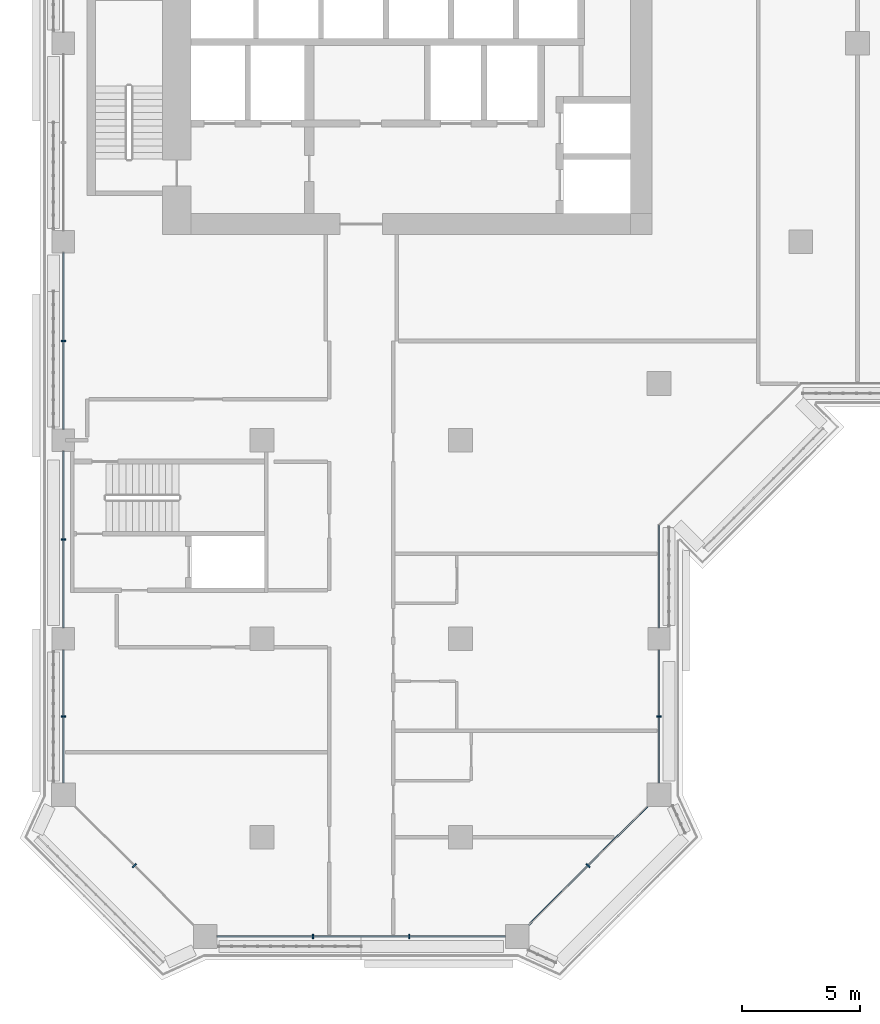
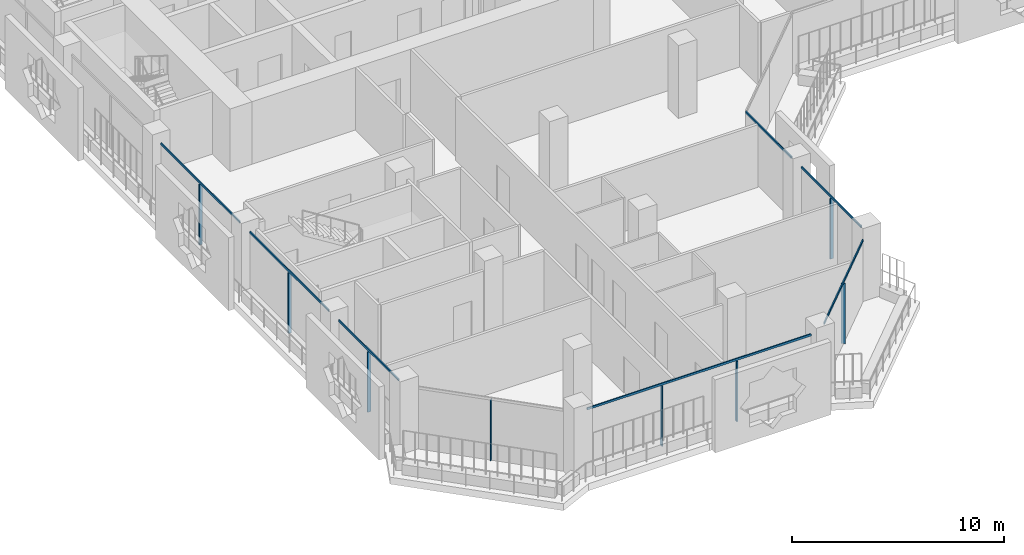
# One storey, part 2 of 22: 15 members, 5 elements without a shape of their own.
"""IFC4 building model written with IfcOpenShell, lengths in metres."""

from ifc_helpers import new_model, si_unit, direction, frame, origin, origin_2d, place, context, subcontext, project, spatial, rectangle, extrude, material, layer, layer_set, material_profile, profile_set, type_object, element, aggregate, save


model = new_model("IFC4")

# Units and contexts
model_context = context("Model", 3, precision=1e-05, world=origin(), true_north=direction((0.0, 1.0)))
body_context = subcontext(model_context, "Body", "Model", "MODEL_VIEW")
ifc_project = project(units=[si_unit("LENGTHUNIT", "METRE"), si_unit("AREAUNIT", "SQUARE_METRE"), si_unit("VOLUMEUNIT", "CUBIC_METRE"), si_unit("PLANEANGLEUNIT", "RADIAN"), si_unit("MASSUNIT", "GRAM", prefix="KILO")], contexts=[model_context])

# Site, building, storey
site_placement = place(None, origin())
site = spatial("IfcSite", under=ifc_project, at=site_placement, CompositionType="ELEMENT")
building_placement = place(site_placement, origin())
building = spatial("IfcBuilding", under=site, at=building_placement, Name="Kawkab Arch Medical Tower", CompositionType="ELEMENT")
storey_placement = place(building_placement, frame((0.0, 0.0, 187.800048828125)))
storey = spatial("IfcBuildingStorey", under=building, at=storey_placement, Name="L43", CompositionType="ELEMENT", Elevation=187.800048828125)

# Curtain wall, members
ifc_material_1 = material(Name="Bronze anodised aluminium curtain wall frame", Category="aluminium")
ifc_layer_1 = layer(ifc_material_1, 0.159912109375)
ifc_layer_set_1 = layer_set([ifc_layer_1], Name="Bronze anodised aluminium curtain wall frame")
curtain_wall_type_1 = type_object("IfcCurtainWallType", Name="CW1 ward curtain wall", PredefinedType="NOTDEFINED", material=ifc_layer_set_1)
placement = place(storey_placement, origin())
curtain_wall_1 = element("IfcCurtainWall", 1, at=placement, inside=storey, type_object=curtain_wall_type_1, Name="CW1 Ward curtain wall R01", PredefinedType="NOTDEFINED")
ifc_material_2 = material(Name="Bronze anodised aluminium curtain wall frame", Category="aluminium")
ifc_material_profile_1 = material_profile(ifc_material_2, rectangle(XDim=0.179931640625, YDim=0.06005859375, at=origin_2d()), Name="AL 60x180")
ifc_profile_set_1 = profile_set([ifc_material_profile_1], Name="Bronze anodised aluminium curtain wall frame")
member_type_1 = type_object("IfcMemberType", Name="CW1 mullion 60 x 180", PredefinedType="MULLION", material=ifc_profile_set_1)
member_1_placement = place(storey_placement, frame((0.0, -29.39990234375, 0.0), z_axis=(0.0, 0.0, 1.0), x_axis=(1.0, 0.0, 0.0)))
member_1 = element("IfcMember", 2, at=member_1_placement, type_object=member_type_1, Name="CW1 mullion 3.1", PredefinedType="MULLION", context=body_context, shape_type="SweptSolid", body=[
    extrude(rectangle(XDim=0.179931640625, YDim=0.06005859375, at=origin_2d()), origin(), (0.0, 0.0, 1.0), 3.47998046875),
])
member_2_placement = place(storey_placement, frame((0.0, -37.800048828125, 0.0), z_axis=(0.0, 0.0, 1.0), x_axis=(1.0, 0.0, 0.0)))
member_2 = element("IfcMember", 3, at=member_2_placement, type_object=member_type_1, Name="CW1 mullion 4.1", PredefinedType="MULLION", context=body_context, shape_type="SweptSolid", body=[
    extrude(rectangle(XDim=0.179931640625, YDim=0.06005859375, at=origin_2d()), origin(), (0.0, 0.0, 1.0), 3.47998046875),
])
member_3_placement = place(storey_placement, frame((0.0, -45.28759765625, 0.0), z_axis=(0.0, 0.0, 1.0), x_axis=(1.0, 0.0, 0.0)))
member_3 = element("IfcMember", 4, at=member_3_placement, type_object=member_type_1, Name="CW1 mullion 5.1", PredefinedType="MULLION", context=body_context, shape_type="SweptSolid", body=[
    extrude(rectangle(XDim=0.179931640625, YDim=0.06005859375, at=origin_2d()), origin(), (0.0, 0.0, 1.0), 3.47998046875),
])

curtain_wall_2 = element("IfcCurtainWall", 5, at=placement, inside=storey, type_object=curtain_wall_type_1, Name="CW1 Ward curtain wall R03", PredefinedType="NOTDEFINED")
member_4_placement = place(storey_placement, frame((10.566650390625, -54.60009765625, 0.0), z_axis=(0.0, 0.0, 1.0), x_axis=(0.0, 1.0, 0.0)))
member_4 = element("IfcMember", 6, at=member_4_placement, type_object=member_type_1, Name="CW1 mullion 1.1", PredefinedType="MULLION", context=body_context, shape_type="SweptSolid", body=[
    extrude(rectangle(XDim=0.179931640625, YDim=0.06005859375, at=origin_2d()), origin(), (0.0, 0.0, 1.0), 3.47998046875),
])
member_5_placement = place(storey_placement, frame((14.63330078125, -54.60009765625, 0.0), z_axis=(0.0, 0.0, 1.0), x_axis=(0.0, 1.0, 0.0)))
member_5 = element("IfcMember", 7, at=member_5_placement, type_object=member_type_1, Name="CW1 mullion 1.2", PredefinedType="MULLION", context=body_context, shape_type="SweptSolid", body=[
    extrude(rectangle(XDim=0.179931640625, YDim=0.06005859375, at=origin_2d()), origin(), (0.0, 0.0, 1.0), 3.47998046875),
])

# Curtain wall, member
curtain_wall_3 = element("IfcCurtainWall", 8, at=placement, inside=storey, type_object=curtain_wall_type_1, Name="CW1 Ward curtain wall R05", PredefinedType="NOTDEFINED")
member_6_placement = place(storey_placement, frame((25.199951171875, -45.28759765625, 0.0), z_axis=(0.0, 0.0, 1.0), x_axis=(-1.0, 0.0, 0.0)))
member_6 = element("IfcMember", 9, at=member_6_placement, type_object=member_type_1, Name="CW1 mullion 1.1", PredefinedType="MULLION", context=body_context, shape_type="SweptSolid", body=[
    extrude(rectangle(XDim=0.179931640625, YDim=0.06005859375, at=origin_2d()), origin(), (0.0, 0.0, 1.0), 3.47998046875),
])

# Member
ifc_material_3 = material(Name="Bronze anodised aluminium curtain wall frame", Category="aluminium")
ifc_material_profile_2 = material_profile(ifc_material_3, rectangle(XDim=0.06005859375, YDim=0.1201171875, at=origin_2d()), Name="AL 60x120")
ifc_profile_set_2 = profile_set([ifc_material_profile_2], Name="Bronze anodised aluminium curtain wall frame")
member_type_2 = type_object("IfcMemberType", Name="CW1 transom 120 x 60", PredefinedType="USERDEFINED", material=ifc_profile_set_2)
member_7_placement = place(storey_placement, frame((0.0, -25.675048828125, 3.5400390625), z_axis=(0.0, -1.0, 0.0), x_axis=(1.0, 0.0, 0.0)))
member_7 = element("IfcMember", 10, at=member_7_placement, type_object=member_type_2, Name="CW1 transom 3", ObjectType="TRANSOM", PredefinedType="USERDEFINED", context=body_context, shape_type="SweptSolid", body=[
    extrude(rectangle(XDim=0.06005859375, YDim=0.1201171875, at=origin_2d()), origin(), (0.0, 0.0, 1.0), 7.449951171875),
])

member_8_placement = place(storey_placement, frame((0.0, -34.074951171875, 3.5400390625), z_axis=(0.0, -1.0, 0.0), x_axis=(1.0, 0.0, 0.0)))
member_8 = element("IfcMember", 11, at=member_8_placement, type_object=member_type_2, Name="CW1 transom 4", ObjectType="TRANSOM", PredefinedType="USERDEFINED", context=body_context, shape_type="SweptSolid", body=[
    extrude(rectangle(XDim=0.06005859375, YDim=0.1201171875, at=origin_2d()), origin(), (0.0, 0.0, 1.0), 7.449951171875),
])

member_9_placement = place(storey_placement, frame((0.0, -42.47509765625, 3.5400390625), z_axis=(0.0, -1.0, 0.0), x_axis=(1.0, 0.0, 0.0)))
member_9 = element("IfcMember", 12, at=member_9_placement, type_object=member_type_2, Name="CW1 transom 5", ObjectType="TRANSOM", PredefinedType="USERDEFINED", context=body_context, shape_type="SweptSolid", body=[
    extrude(rectangle(XDim=0.06005859375, YDim=0.1201171875, at=origin_2d()), origin(), (0.0, 0.0, 1.0), 5.625),
])

aggregate(curtain_wall_1, [member_7, member_1, member_8, member_2, member_9, member_3])

member_10_placement = place(storey_placement, frame((6.5, -54.60009765625, 3.5400390625), z_axis=(1.0, 0.0, 0.0), x_axis=(0.0, 1.0, 0.0)))
member_10 = element("IfcMember", 13, at=member_10_placement, type_object=member_type_2, Name="CW1 transom 1", ObjectType="TRANSOM", PredefinedType="USERDEFINED", context=body_context, shape_type="SweptSolid", body=[
    extrude(rectangle(XDim=0.06005859375, YDim=0.1201171875, at=origin_2d()), origin(), (0.0, 0.0, 1.0), 12.199951171875),
])

aggregate(curtain_wall_2, [member_10, member_4, member_5])

member_11_placement = place(storey_placement, frame((25.199951171875, -48.10009765625, 3.5400390625), z_axis=(0.0, 1.0, 0.0), x_axis=(-1.0, 0.0, 0.0)))
member_11 = element("IfcMember", 14, at=member_11_placement, type_object=member_type_2, Name="CW1 transom 1", ObjectType="TRANSOM", PredefinedType="USERDEFINED", context=body_context, shape_type="SweptSolid", body=[
    extrude(rectangle(XDim=0.06005859375, YDim=0.1201171875, at=origin_2d()), origin(), (0.0, 0.0, 1.0), 5.625),
])

member_12_placement = place(storey_placement, frame((25.199951171875, -41.52490234375, 3.5400390625), z_axis=(0.0, 1.0, 0.0), x_axis=(-1.0, 0.0, 0.0)))
member_12 = element("IfcMember", 15, at=member_12_placement, type_object=member_type_2, Name="CW1 transom 2", ObjectType="TRANSOM", PredefinedType="USERDEFINED", context=body_context, shape_type="SweptSolid", body=[
    extrude(rectangle(XDim=0.06005859375, YDim=0.1201171875, at=origin_2d()), origin(), (0.0, 0.0, 1.0), 4.324951171875),
])

aggregate(curtain_wall_3, [member_11, member_6, member_12])

# Curtain wall, member
ifc_material_4 = material(Name="Bronze anodised aluminium curtain wall frame", Category="aluminium")
ifc_layer_2 = layer(ifc_material_4, 0.159912109375)
ifc_layer_set_2 = layer_set([ifc_layer_2], Name="Bronze anodised aluminium curtain wall frame")
curtain_wall_type_2 = type_object("IfcCurtainWallType", Name="CW2 chamfer curtain wall", PredefinedType="NOTDEFINED", material=ifc_layer_set_2)
curtain_wall_4 = element("IfcCurtainWall", 16, at=placement, inside=storey, type_object=curtain_wall_type_2, Name="CW2 Chamfer curtain wall R02", PredefinedType="NOTDEFINED")
ifc_material_5 = material(Name="Bronze anodised aluminium curtain wall frame", Category="aluminium")
ifc_material_profile_3 = material_profile(ifc_material_5, rectangle(XDim=0.199951171875, YDim=0.06005859375, at=origin_2d()), Name="AL 60x200")
ifc_profile_set_3 = profile_set([ifc_material_profile_3], Name="Bronze anodised aluminium curtain wall frame")
member_type_3 = type_object("IfcMemberType", Name="CW2 mullion 60 x 200", PredefinedType="MULLION", material=ifc_profile_set_3)
member_13_placement = place(storey_placement, frame((3.0, -51.60009765625, 0.0), z_axis=(0.0, 0.0, 1.0), x_axis=(0.707106781187, 0.707106781187, 0.0)))
member_13 = element("IfcMember", 17, at=member_13_placement, type_object=member_type_3, Name="CW2 mullion 1.1", PredefinedType="MULLION", context=body_context, shape_type="SweptSolid", body=[
    extrude(rectangle(XDim=0.199951171875, YDim=0.06005859375, at=origin_2d()), origin(), (0.0, 0.0, 1.0), 3.4599609375),
])
aggregate(curtain_wall_4, [member_13])

# Curtain wall, members
curtain_wall_5 = element("IfcCurtainWall", 18, at=placement, inside=storey, type_object=curtain_wall_type_2, Name="CW2 Chamfer curtain wall R04", PredefinedType="NOTDEFINED")
member_14_placement = place(storey_placement, frame((22.199951171875, -51.60009765625, 0.0), z_axis=(0.0, 0.0, 1.0), x_axis=(-0.707106781187, 0.707106781187, 0.0)))
member_14 = element("IfcMember", 19, at=member_14_placement, type_object=member_type_3, Name="CW2 mullion 1.1", PredefinedType="MULLION", context=body_context, shape_type="SweptSolid", body=[
    extrude(rectangle(XDim=0.199951171875, YDim=0.06005859375, at=origin_2d()), origin(), (0.0, 0.0, 1.0), 3.4599609375),
])
ifc_material_6 = material(Name="Bronze anodised aluminium curtain wall frame", Category="aluminium")
ifc_material_profile_4 = material_profile(ifc_material_6, rectangle(XDim=0.06005859375, YDim=0.139892578125, at=origin_2d()), Name="AL 60x140")
ifc_profile_set_4 = profile_set([ifc_material_profile_4], Name="Bronze anodised aluminium curtain wall frame")
member_type_4 = type_object("IfcMemberType", Name="CW2 transom 140 x 60", PredefinedType="USERDEFINED", material=ifc_profile_set_4)
member_15_placement = place(storey_placement, frame((19.699951171875, -54.10009765625, 3.530029296875), z_axis=(0.707106781187, 0.707106781187, 0.0), x_axis=(-0.707106781187, 0.707106781187, 0.0)))
member_15 = element("IfcMember", 20, at=member_15_placement, type_object=member_type_4, Name="CW2 transom 1", ObjectType="TRANSOM", PredefinedType="USERDEFINED", context=body_context, shape_type="SweptSolid", body=[
    extrude(rectangle(XDim=0.06005859375, YDim=0.139892578125, at=origin_2d()), origin(), (0.0, 0.0, 1.0), 7.071044921875),
])
aggregate(curtain_wall_5, [member_15, member_14])

save(model, "model.ifc")
